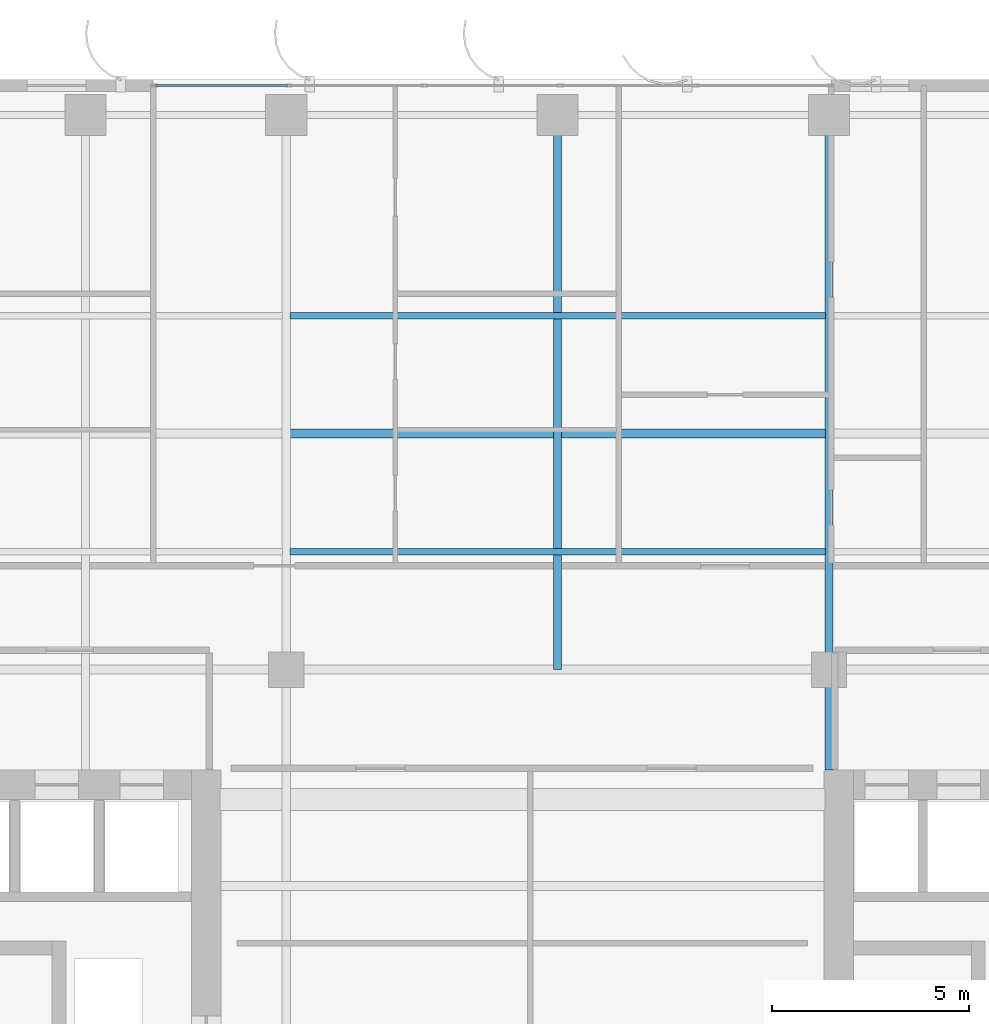
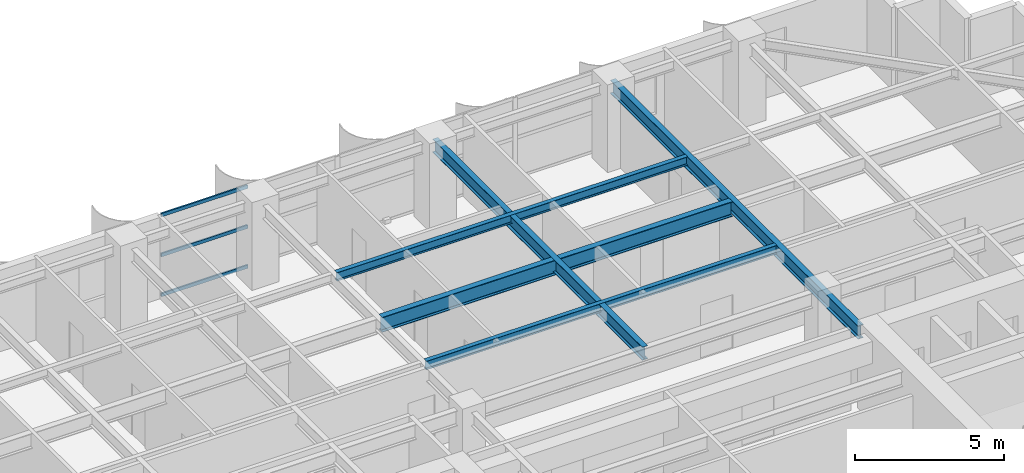
# One storey, part 11 of 21: 5 beams, 3 members, 1 element without a shape of its own.
"""IFC4 building model written with IfcOpenShell, lengths in metres."""

from ifc_helpers import new_model, si_unit, direction, frame, origin, origin_2d, place, context, subcontext, project, spatial, hollow_rectangle, i_section, extrude, source, transform, mapped, material, layer, layer_set, material_profile, profile_set, type_object, element, aggregate, save


model = new_model("IFC4")

# Units and contexts
model_context = context("Model", 3, precision=1e-05, world=origin(), true_north=direction((0.0, 1.0)))
body_context = subcontext(model_context, "Body", "Model", "MODEL_VIEW")
ifc_project = project(units=[si_unit("LENGTHUNIT", "METRE"), si_unit("AREAUNIT", "SQUARE_METRE"), si_unit("VOLUMEUNIT", "CUBIC_METRE"), si_unit("PLANEANGLEUNIT", "RADIAN"), si_unit("MASSUNIT", "GRAM", prefix="KILO")], contexts=[model_context])

# Site, building, storey
site_placement = place(None, origin())
site = spatial("IfcSite", under=ifc_project, at=site_placement, CompositionType="ELEMENT")
building_placement = place(site_placement, origin())
building = spatial("IfcBuilding", under=site, at=building_placement, Name="Khoralis Quay Care Tower", CompositionType="ELEMENT")
storey_placement = place(building_placement, frame((0.0, 0.0, 112.5)))
storey = spatial("IfcBuildingStorey", under=building, at=storey_placement, Name="L29", CompositionType="ELEMENT", Elevation=112.5)

# Beams
ifc_material_1 = material(Name="Steel S355", Category="steel")
ifc_material_profile_1 = material_profile(ifc_material_1, i_section(OverallWidth=0.22998046875, OverallDepth=0.616943359375, WebThickness=0.01318359375, FlangeThickness=0.022216796875, FilletRadius=0.01806640625, at=origin_2d()), Name="Steel S355")
ifc_profile_set_1 = profile_set([ifc_material_profile_1], Name="Steel S355")
beam_type_1 = type_object("IfcBeamType", Name="BM-W610X140", PredefinedType="BEAM", material=ifc_profile_set_1)
shared_shape_1 = source(origin(), body_context, "Body", "SweptSolid", [
    extrude(i_section(OverallWidth=0.22998046875, OverallDepth=0.616943359375, WebThickness=0.01318359375, FlangeThickness=0.022216796875, FilletRadius=0.01806640625, at=origin_2d()), origin(), (0.0, 0.0, 1.0), 13.61181640625),
])
beam_1_placement = place(storey_placement, frame((17.194091796875, 36.0, 3.031494140625), z_axis=(1.0, 0.0, 0.0), x_axis=(0.0, 1.0, 0.0)))
element("IfcBeam", 1, at=beam_1_placement, inside=storey, type_object=beam_type_1, Name="BM-TGCC-L29-360", PredefinedType="BEAM", context=body_context, shape_type="MappedRepresentation", body=[
    mapped(shared_shape_1, transform((0.0, 0.0, 0.0), scale=1.0)),
])
ifc_material_profile_2 = material_profile(ifc_material_1, i_section(OverallWidth=0.2119140625, OverallDepth=0.5439453125, WebThickness=0.01318359375, FlangeThickness=0.021240234375, FilletRadius=0.01611328125, at=origin_2d()), Name="Steel S355")
ifc_profile_set_2 = profile_set([ifc_material_profile_2], Name="Steel S355")
beam_type_2 = type_object("IfcBeamType", Name="BM-W530X123", PredefinedType="BEAM", material=ifc_profile_set_2)
shared_shape_2 = source(origin(), body_context, "Body", "SweptSolid", [
    extrude(i_section(OverallWidth=0.2119140625, OverallDepth=0.5439453125, WebThickness=0.01318359375, FlangeThickness=0.021240234375, FilletRadius=0.01611328125, at=origin_2d()), origin(), (0.0, 0.0, 1.0), 14.10009765625),
])
beam_2_placement = place(storey_placement, frame((24.0, 30.0, 3.068115234375), z_axis=(0.0, 1.0, 0.0), x_axis=(-1.0, 0.0, 0.0)))
element("IfcBeam", 2, at=beam_2_placement, inside=storey, type_object=beam_type_2, Name="BM-TGYN-L29-240", PredefinedType="BEAM", context=body_context, shape_type="MappedRepresentation", body=[
    mapped(shared_shape_2, transform((0.0, 0.0, 0.0), scale=1.0)),
])
shared_shape_3 = source(origin(), body_context, "Body", "SweptSolid", [
    extrude(i_section(OverallWidth=0.2119140625, OverallDepth=0.5439453125, WebThickness=0.01318359375, FlangeThickness=0.021240234375, FilletRadius=0.01611328125, at=origin_2d()), origin(), (0.0, 0.0, 1.0), 16.652099609375),
])
beam_3_placement = place(storey_placement, frame((30.89990234375, 27.447998046875, 3.068115234375), z_axis=(0.0, 1.0, 0.0), x_axis=(-1.0, 0.0, 0.0)))
element("IfcBeam", 3, at=beam_3_placement, inside=storey, type_object=beam_type_2, Name="BM-TGYN-L29-309", PredefinedType="BEAM", context=body_context, shape_type="MappedRepresentation", body=[
    mapped(shared_shape_3, transform((0.0, 0.0, 0.0), scale=1.0)),
])
ifc_material_profile_3 = material_profile(ifc_material_1, i_section(OverallWidth=0.1708984375, OverallDepth=0.35498046875, WebThickness=0.007080078125, FlangeThickness=0.01171875, FilletRadius=0.012939453125, at=origin_2d()), Name="Steel S355")
ifc_profile_set_3 = profile_set([ifc_material_profile_3], Name="Steel S355")
beam_type_3 = type_object("IfcBeamType", Name="BM-W360X51", PredefinedType="JOIST", material=ifc_profile_set_3)
shared_shape_4 = source(origin(), body_context, "Body", "SweptSolid", [
    extrude(i_section(OverallWidth=0.1708984375, OverallDepth=0.35498046875, WebThickness=0.007080078125, FlangeThickness=0.01171875, FilletRadius=0.012939453125, at=origin_2d()), origin(), (0.0, 0.0, 1.0), 13.61181640625),
])
for number, where, z_axis, x_axis, name in (
    (4, (17.194091796875, 33.0, 3.16259765625), (1.0, 0.0, 0.0), (0.0, 1.0, 0.0), "BM-TJS-L29-30"),
    (5, (17.194091796875, 39.0, 3.16259765625), (1.0, 0.0, 0.0), (0.0, 1.0, 0.0), "BM-TJS-L29-33"),
):
    element("IfcBeam", number, at=place(storey_placement, frame(where, z_axis=z_axis, x_axis=x_axis)), inside=storey, type_object=beam_type_3, Name=name, PredefinedType="JOIST", context=body_context, shape_type="MappedRepresentation", body=[
        mapped(shared_shape_4, transform((0.0, 0.0, 0.0), scale=1.0)),
    ])

# Curtain wall, members
ifc_material_2 = material(Name="Pale anodised aluminium", Category="aluminium")
ifc_layer = layer(ifc_material_2, 0.169921875)
ifc_layer_set = layer_set([ifc_layer], Name="Pale anodised aluminium")
curtain_wall_type = type_object("IfcCurtainWallType", Name="CW-SYS-Z2", PredefinedType="NOTDEFINED", material=ifc_layer_set)
curtain_wall_placement = place(storey_placement, origin())
curtain_wall = element("IfcCurtainWall", 6, at=curtain_wall_placement, inside=storey, type_object=curtain_wall_type, Name="L29 Unitised Curtain Wall CW-L29-P1-E10", PredefinedType="NOTDEFINED")
ifc_material_profile_4 = material_profile(ifc_material_2, hollow_rectangle(XDim=0.06005859375, YDim=0.139892578125, WallThickness=0.00390625, at=origin_2d()), Name="Pale anodised aluminium")
ifc_profile_set_4 = profile_set([ifc_material_profile_4], Name="Pale anodised aluminium")
member_type = type_object("IfcMemberType", Name="CW-TRN-140", PredefinedType="USERDEFINED", material=ifc_profile_set_4)
shared_shape_5 = source(origin(), body_context, "Body", "SweptSolid", [
    extrude(hollow_rectangle(XDim=0.06005859375, YDim=0.139892578125, WallThickness=0.00390625, at=origin_2d()), origin(), (0.0, 0.0, 1.0), 3.35791015625),
])
member_1_placement = place(storey_placement, frame((17.137939453125, 44.85009765625, 0.030029296875), z_axis=(-1.0, 0.0, 0.0), x_axis=(0.0, -1.0, 0.0)))
member_1 = element("IfcMember", 7, at=member_1_placement, type_object=member_type, Name="CW2 transom 5.1", ObjectType="TRANSOM", PredefinedType="USERDEFINED", context=body_context, shape_type="MappedRepresentation", body=[
    mapped(shared_shape_5, transform((0.0, 0.0, 0.0), scale=1.0)),
])
member_2_placement = place(storey_placement, frame((17.137939453125, 44.85009765625, 1.669921875), z_axis=(-1.0, 0.0, 0.0), x_axis=(0.0, -1.0, 0.0)))
member_2 = element("IfcMember", 8, at=member_2_placement, type_object=member_type, Name="CW2 transom 5.2", ObjectType="TRANSOM", PredefinedType="USERDEFINED", context=body_context, shape_type="MappedRepresentation", body=[
    mapped(shared_shape_5, transform((0.0, 0.0, 0.0), scale=1.0)),
])
member_3_placement = place(storey_placement, frame((17.137939453125, 44.85009765625, 3.31005859375), z_axis=(-1.0, 0.0, 0.0), x_axis=(0.0, -1.0, 0.0)))
member_3 = element("IfcMember", 9, at=member_3_placement, type_object=member_type, Name="CW2 transom 5.3", ObjectType="TRANSOM", PredefinedType="USERDEFINED", context=body_context, shape_type="MappedRepresentation", body=[
    mapped(shared_shape_5, transform((0.0, 0.0, 0.0), scale=1.0)),
])
aggregate(curtain_wall, [member_1, member_2, member_3])

save(model, "model.ifc")
